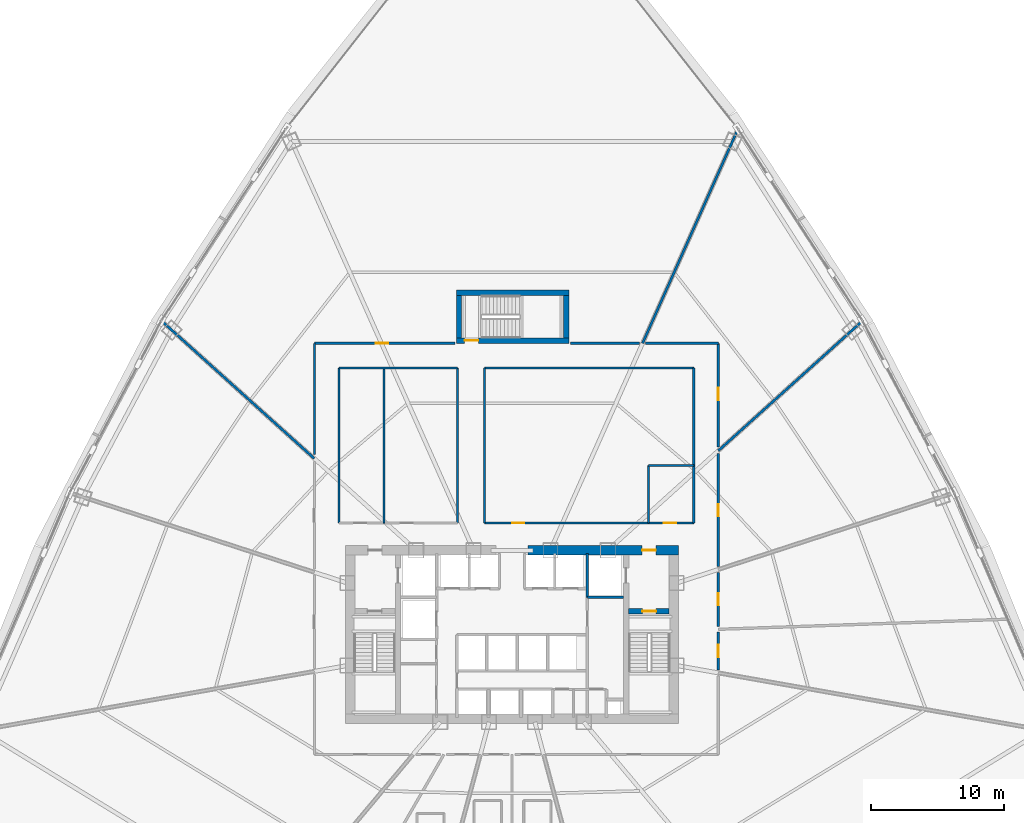
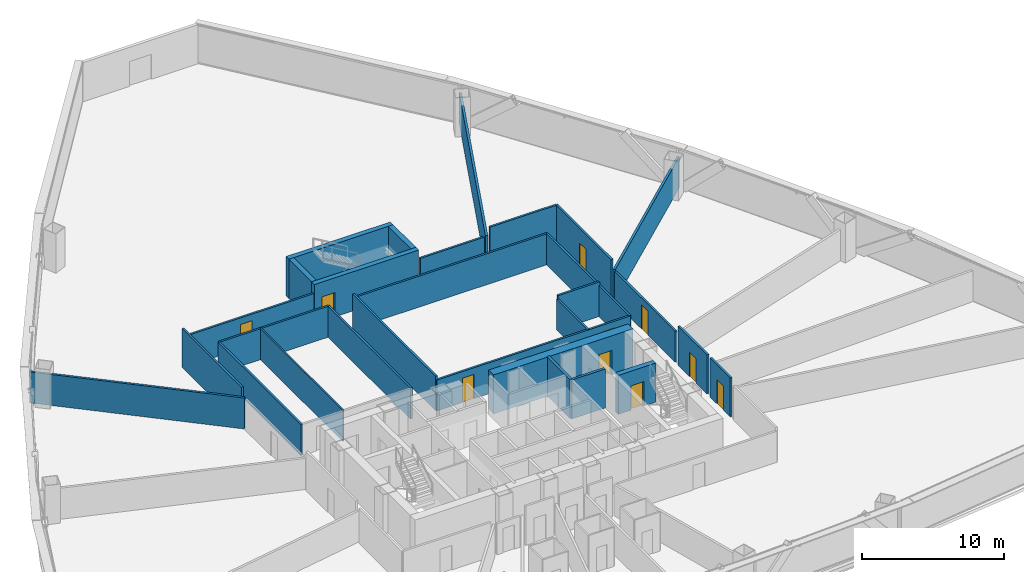
# One storey, part 35 of 41: 29 walls, 10 doors, 10 openings.
"""IFC4 building model written with IfcOpenShell, lengths in metres."""

from ifc_helpers import new_model, si_unit, direction, frame, frame_2d, origin, origin_with_axes, place, context, subcontext, project, spatial, rectangle, extrude, source, transform, mapped, material, layer, layer_set, type_object, element, fill, save


model = new_model("IFC4")

# Units and contexts
model_context = context("Model", 3, precision=1e-05, world=origin(), true_north=direction((0.0, 1.0)))
body_context = subcontext(model_context, "Body", "Model", "MODEL_VIEW")
ifc_project = project(units=[si_unit("LENGTHUNIT", "METRE"), si_unit("AREAUNIT", "SQUARE_METRE"), si_unit("VOLUMEUNIT", "CUBIC_METRE"), si_unit("PLANEANGLEUNIT", "RADIAN"), si_unit("MASSUNIT", "GRAM", prefix="KILO"), si_unit("THERMODYNAMICTEMPERATUREUNIT", "KELVIN"), si_unit("POWERUNIT", "WATT")], contexts=[model_context])

# Site, building, storey
site_placement = place(None, origin())
site = spatial("IfcSite", under=ifc_project, at=site_placement, CompositionType="ELEMENT")
building_placement = place(site_placement, origin())
building = spatial("IfcBuilding", under=site, at=building_placement, Name="Yunzhuo Pagoda Commons", CompositionType="ELEMENT")
storey_placement = place(building_placement, frame((0.0, 0.0, 63.070068359375)))
storey = spatial("IfcBuildingStorey", under=building, at=storey_placement, Name="L16", CompositionType="ELEMENT", Elevation=63.070068359375)

# Wall, opening, door
ifc_material_1 = material(Name="Concrete C60", Category="concrete")
ifc_layer_1 = layer(ifc_material_1, 0.699951171875)
ifc_layer_set_1 = layer_set([ifc_layer_1], Name="Concrete C60")
wall_type_1 = type_object("IfcWallType", Name="W-C01 Lower Core Shear Wall 700", PredefinedType="SHEAR", material=ifc_layer_set_1)
wall_1_placement = place(storey_placement, frame((49.199951171875, 40.199951171875, 0.0), z_axis=(0.0, 0.0, 1.0), x_axis=(1.0, 0.0, 0.0)))
wall_1 = element("IfcWall", 1, at=wall_1_placement, inside=storey, type_object=wall_type_1, Name="L16 core shear wall NE", PredefinedType="SHEAR", context=body_context, shape_type="SweptSolid", body=[
    extrude(rectangle(XDim=11.35009765625, YDim=0.699951171875, at=frame_2d((5.675048828125, 0.0))), origin(), (0.0, 0.0, 1.0), 3.369873046875),
])
opening_1_placement = place(wall_1_placement, frame((8.60009765625, 0.0, 0.0)))
opening_1 = element("IfcOpeningElement", 2, at=opening_1_placement, cuts=wall_1, Name="Opening D-02", PredefinedType="OPENING", context=body_context, shape_type="SweptSolid", body=[
    extrude(rectangle(XDim=1.050048828125, YDim=2.10009765625, at=frame_2d((0.52490234375, 1.050048828125))), frame((0.0, 0.35986328125, 0.0), z_axis=(0.0, -1.0, 0.0), x_axis=(1.0, 0.0, 0.0)), (0.0, 0.0, 1.0), 0.719970703125),
])
ifc_material_2 = material(Name="Galvanized fire-resisting metal leaf")
door_type_1 = type_object("IfcDoorType", Name="D-02 Firefighting Lobby & Refuge Fire Door 1050x2100", OperationType="NOTDEFINED", PredefinedType="DOOR", material=ifc_material_2)
shared_shape_1 = source(origin(), body_context, "Body", "SweptSolid", [
    extrude(rectangle(XDim=1.050048828125, YDim=2.10009765625, at=frame_2d((0.52490234375, 1.050048828125))), frame((0.0, 0.02490234375, 0.0), z_axis=(0.0, -1.0, 0.0), x_axis=(1.0, 0.0, 0.0)), (0.0, 0.0, 1.0), 0.050048828125),
])
door_1_placement = place(opening_1_placement, frame((1.050048828125, 0.0, 0.0), z_axis=(0.0, 0.0, 1.0), x_axis=(-1.0, 0.0, 0.0)))
door_1 = element("IfcDoor", 3, at=door_1_placement, inside=storey, type_object=door_type_1, Name="L16 Firefighting Lobby 2 fire door", OperationType="SINGLE_SWING_RIGHT", OverallHeight=2.10009765625, OverallWidth=1.050048828125, PredefinedType="DOOR", context=body_context, shape_type="MappedRepresentation", body=[
    mapped(shared_shape_1, transform((0.0, 0.0, 0.0), scale=1.0)),
])
fill(opening_1, door_1)

# Walls
ifc_material_3 = material(Name="Gypsum plasterboard on acoustic stud")
ifc_layer_2 = layer(ifc_material_3, 0.159912109375)
ifc_layer_set_2 = layer_set([ifc_layer_2], Name="Gypsum plasterboard on acoustic stud")
wall_type_2 = type_object("IfcWallType", Name="W-COR1 Tower Rated Corridor Wall 160", PredefinedType="PARTITIONING", material=ifc_layer_set_2)
wall_2_placement = place(storey_placement, frame((34.949951171875, 53.949951171875, 0.0), z_axis=(0.0, 0.0, 1.0), x_axis=(1.0, 0.0, 0.0)))
element("IfcWall", 4, at=wall_2_placement, inside=storey, type_object=wall_type_2, Name="L16 interior wall IW-L16-ISLWN", PredefinedType="PARTITIONING", context=body_context, shape_type="SweptSolid", body=[
    extrude(rectangle(XDim=8.929931640625, YDim=0.159912109375, at=frame_2d((4.46484375, 0.0))), origin(), (0.0, 0.0, 1.0), 2.669921875),
])
for number, where, z_axis, x_axis, name in (
    (5, (34.949951171875, 42.25, 0.0), (0.0, 0.0, 1.0), (0.0, 1.0, 0.0), "L16 interior wall IW-L16-ISLWW"),
    (6, (43.8798828125, 42.25, 0.0), (0.0, 0.0, 1.0), (0.0, 1.0, 0.0), "L16 interior wall IW-L16-ISLWE"),
):
    element("IfcWall", number, at=place(storey_placement, frame(where, z_axis=z_axis, x_axis=x_axis)), inside=storey, type_object=wall_type_2, Name=name, PredefinedType="PARTITIONING", context=body_context, shape_type="SweptSolid", body=[
        extrude(rectangle(XDim=11.699951171875, YDim=0.159912109375, at=frame_2d((5.85009765625, 0.0))), origin(), (0.0, 0.0, 1.0), 2.669921875),
    ])

# Wall, openings, doors
wall_3_placement = place(storey_placement, frame((45.919921875, 42.25, 0.0), z_axis=(0.0, 0.0, 1.0), x_axis=(1.0, 0.0, 0.0)))
wall_3 = element("IfcWall", 7, at=wall_3_placement, inside=storey, type_object=wall_type_2, Name="L16 interior wall IW-L16-ISLES", PredefinedType="PARTITIONING", context=body_context, shape_type="SweptSolid", body=[
    extrude(rectangle(XDim=15.780029296875, YDim=0.159912109375, at=frame_2d((7.89013671875, 0.0))), origin(), (0.0, 0.0, 1.0), 2.669921875),
])
opening_2_placement = place(wall_3_placement, frame((2.10009765625, 0.0, 0.0)))
opening_2 = element("IfcOpeningElement", 8, at=opening_2_placement, cuts=wall_3, Name="Opening D-04", PredefinedType="OPENING", context=body_context, shape_type="SweptSolid", body=[
    extrude(rectangle(XDim=0.919921875, YDim=2.10009765625, at=frame_2d((0.4599609375, 1.050048828125))), frame((0.0, 0.08984375, 0.0), z_axis=(0.0, -1.0, 0.0), x_axis=(1.0, 0.0, 0.0)), (0.0, 0.0, 1.0), 0.179931640625),
])
opening_3_placement = place(wall_3_placement, frame((13.530029296875, 0.0, 0.0)))
opening_3 = element("IfcOpeningElement", 9, at=opening_3_placement, cuts=wall_3, Name="Opening D-11", PredefinedType="OPENING", context=body_context, shape_type="SweptSolid", body=[
    extrude(rectangle(XDim=0.93994140625, YDim=2.10009765625, at=frame_2d((0.469970703125, 1.050048828125))), frame((0.0, 0.08984375, 0.0), z_axis=(0.0, -1.0, 0.0), x_axis=(1.0, 0.0, 0.0)), (0.0, 0.0, 1.0), 0.179931640625),
])
door_type_2 = type_object("IfcDoorType", Name="D-11 Accessible Washroom Fire Door 940x2100", OperationType="NOTDEFINED", PredefinedType="DOOR", material=ifc_material_2)
shared_shape_2 = source(origin(), body_context, "Body", "SweptSolid", [
    extrude(rectangle(XDim=0.93994140625, YDim=2.10009765625, at=frame_2d((0.469970703125, 1.050048828125))), frame((0.0, 0.02490234375, 0.0), z_axis=(0.0, -1.0, 0.0), x_axis=(1.0, 0.0, 0.0)), (0.0, 0.0, 1.0), 0.050048828125),
])
door_2_placement = place(opening_3_placement, frame((0.93994140625, 0.0, 0.0), z_axis=(0.0, 0.0, 1.0), x_axis=(-1.0, 0.0, 0.0)))
door_2 = element("IfcDoor", 10, at=door_2_placement, inside=storey, type_object=door_type_2, Name="L16 accessible WC door", OperationType="SINGLE_SWING_RIGHT", OverallHeight=2.10009765625, OverallWidth=0.93994140625, PredefinedType="DOOR", context=body_context, shape_type="MappedRepresentation", body=[
    mapped(shared_shape_2, transform((0.0, 0.0, 0.0), scale=1.0)),
])
fill(opening_3, door_2)
ifc_material_4 = material(Name="Powder-coated aluminium and timber acoustic leaf", Category="wood")
door_type_3 = type_object("IfcDoorType", Name="D-04 Bedroom & Study Interior Door 920x2100", OperationType="NOTDEFINED", PredefinedType="DOOR", material=ifc_material_4)
shared_shape_3 = source(origin(), body_context, "Body", "SweptSolid", [
    extrude(rectangle(XDim=0.919921875, YDim=2.10009765625, at=frame_2d((0.4599609375, 1.050048828125))), frame((0.0, 0.02490234375, 0.0), z_axis=(0.0, -1.0, 0.0), x_axis=(1.0, 0.0, 0.0)), (0.0, 0.0, 1.0), 0.050048828125),
])
door_3_placement = place(opening_2_placement, frame((0.919921875, 0.0, 0.0), z_axis=(0.0, 0.0, 1.0), x_axis=(-1.0, 0.0, 0.0)))
door_3 = element("IfcDoor", 11, at=door_3_placement, inside=storey, type_object=door_type_3, Name="L16 reading commons door", OperationType="SINGLE_SWING_LEFT", OverallHeight=2.10009765625, OverallWidth=0.919921875, PredefinedType="DOOR", context=body_context, shape_type="MappedRepresentation", body=[
    mapped(shared_shape_3, transform((0.0, 0.0, 0.0), scale=1.0)),
])
fill(opening_2, door_3)

# Walls
wall_4_placement = place(storey_placement, frame((45.919921875, 53.949951171875, 0.0), z_axis=(0.0, 0.0, 1.0), x_axis=(1.0, 0.0, 0.0)))
element("IfcWall", 12, at=wall_4_placement, inside=storey, type_object=wall_type_2, Name="L16 interior wall IW-L16-ISLEN", PredefinedType="PARTITIONING", context=body_context, shape_type="SweptSolid", body=[
    extrude(rectangle(XDim=15.780029296875, YDim=0.159912109375, at=frame_2d((7.89013671875, 0.0))), origin(), (0.0, 0.0, 1.0), 2.669921875),
])
wall_5_placement = place(storey_placement, frame((45.919921875, 42.25, 0.0), z_axis=(0.0, 0.0, 1.0), x_axis=(0.0, 1.0, 0.0)))
element("IfcWall", 13, at=wall_5_placement, inside=storey, type_object=wall_type_2, Name="L16 interior wall IW-L16-ISLEW", PredefinedType="PARTITIONING", context=body_context, shape_type="SweptSolid", body=[
    extrude(rectangle(XDim=11.699951171875, YDim=0.159912109375, at=frame_2d((5.85009765625, 0.0))), origin(), (0.0, 0.0, 1.0), 2.969970703125),
])
wall_6_placement = place(storey_placement, frame((61.699951171875, 42.25, 0.0), z_axis=(0.0, 0.0, 1.0), x_axis=(0.0, 1.0, 0.0)))
element("IfcWall", 14, at=wall_6_placement, inside=storey, type_object=wall_type_2, Name="L16 interior wall IW-L16-ISLEE", PredefinedType="PARTITIONING", context=body_context, shape_type="SweptSolid", body=[
    extrude(rectangle(XDim=11.699951171875, YDim=0.159912109375, at=frame_2d((5.85009765625, 0.0))), origin(), (0.0, 0.0, 1.0), 2.669921875),
])
wall_7_placement = place(storey_placement, frame((58.300048828125, 42.25, 0.0), z_axis=(0.0, 0.0, 1.0), x_axis=(0.0, 1.0, 0.0)))
element("IfcWall", 15, at=wall_7_placement, inside=storey, type_object=wall_type_2, Name="L16 interior wall IW-L16-ISL2W", PredefinedType="PARTITIONING", context=body_context, shape_type="SweptSolid", body=[
    extrude(rectangle(XDim=4.35009765625, YDim=0.159912109375, at=frame_2d((2.175048828125, 0.0))), origin(), (0.0, 0.0, 1.0), 2.669921875),
])
wall_8_placement = place(storey_placement, frame((58.300048828125, 46.60009765625, 0.0), z_axis=(0.0, 0.0, 1.0), x_axis=(1.0, 0.0, 0.0)))
element("IfcWall", 16, at=wall_8_placement, inside=storey, type_object=wall_type_2, Name="L16 interior wall IW-L16-ISL2N", PredefinedType="PARTITIONING", context=body_context, shape_type="SweptSolid", body=[
    extrude(rectangle(XDim=3.39990234375, YDim=0.159912109375, at=frame_2d((1.699951171875, 0.0))), origin(), (0.0, 0.0, 1.0), 2.969970703125),
])
wall_9_placement = place(storey_placement, frame((33.10009765625, 47.412109375, 0.0), z_axis=(0.0, 0.0, 1.0), x_axis=(0.0, 1.0, 0.0)))
element("IfcWall", 17, at=wall_9_placement, inside=storey, type_object=wall_type_2, Name="L16 interior wall IW-L16-CWL04", PredefinedType="PARTITIONING", context=body_context, shape_type="SweptSolid", body=[
    extrude(rectangle(XDim=8.387939453125, YDim=0.159912109375, at=frame_2d((4.19384765625, 0.0))), origin(), (0.0, 0.0, 1.0), 3.369873046875),
])

# Wall, opening, door
wall_10_placement = place(storey_placement, frame((33.10009765625, 55.800048828125, 0.0), z_axis=(0.0, 0.0, 1.0), x_axis=(1.0, 0.0, 0.0)))
wall_10 = element("IfcWall", 18, at=wall_10_placement, inside=storey, type_object=wall_type_2, Name="L16 interior wall IW-L16-CWL05", PredefinedType="PARTITIONING", context=body_context, shape_type="SweptSolid", body=[
    extrude(rectangle(XDim=10.60888671875, YDim=0.159912109375, at=frame_2d((5.304443359375, 0.0))), origin(), (0.0, 0.0, 1.0), 2.669921875),
])
opening_4_placement = place(wall_10_placement, frame((4.635009765625, 0.0, 0.0)))
opening_4 = element("IfcOpeningElement", 19, at=opening_4_placement, cuts=wall_10, Name="Opening D-06", PredefinedType="OPENING", context=body_context, shape_type="SweptSolid", body=[
    extrude(rectangle(XDim=0.949951171875, YDim=2.10009765625, at=frame_2d((0.47509765625, 1.050048828125))), frame((0.0, 0.08984375, 0.0), z_axis=(0.0, -1.0, 0.0), x_axis=(1.0, 0.0, 0.0)), (0.0, 0.0, 1.0), 0.179931640625),
])
door_type_4 = type_object("IfcDoorType", Name="D-06 Co-Living Suite Entrance Fire Door 950x2100", OperationType="NOTDEFINED", PredefinedType="DOOR", material=ifc_material_2)
shared_shape_4 = source(origin(), body_context, "Body", "SweptSolid", [
    extrude(rectangle(XDim=0.949951171875, YDim=2.10009765625, at=frame_2d((0.47509765625, 1.050048828125))), frame((0.0, 0.02490234375, 0.0), z_axis=(0.0, -1.0, 0.0), x_axis=(1.0, 0.0, 0.0)), (0.0, 0.0, 1.0), 0.050048828125),
])
door_4_placement = place(opening_4_placement, origin_with_axes())
door_4 = element("IfcDoor", 20, at=door_4_placement, inside=storey, type_object=door_type_4, Name="L16 Shared Resident Kitchen and Pantry door", OperationType="SINGLE_SWING_LEFT", OverallHeight=2.10009765625, OverallWidth=0.949951171875, PredefinedType="DOOR", context=body_context, shape_type="MappedRepresentation", body=[
    mapped(shared_shape_4, transform((0.0, 0.0, 0.0), scale=1.0)),
])
fill(opening_4, door_4)

# Walls
wall_11_placement = place(storey_placement, frame((52.39111328125, 55.800048828125, 0.0), z_axis=(0.0, 0.0, 1.0), x_axis=(1.0, 0.0, 0.0)))
element("IfcWall", 21, at=wall_11_placement, inside=storey, type_object=wall_type_2, Name="L16 interior wall IW-L16-CWL06", PredefinedType="PARTITIONING", context=body_context, shape_type="SweptSolid", body=[
    extrude(rectangle(XDim=5.228759765625, YDim=0.159912109375, at=frame_2d((2.6142578125, 0.0))), origin(), (0.0, 0.0, 1.0), 2.669921875),
])
wall_12_placement = place(storey_placement, frame((58.080322265625, 55.800048828125, 0.0), z_axis=(0.0, 0.0, 1.0), x_axis=(1.0, 0.0, 0.0)))
element("IfcWall", 22, at=wall_12_placement, inside=storey, type_object=wall_type_2, Name="L16 interior wall IW-L16-CWL07", PredefinedType="PARTITIONING", context=body_context, shape_type="SweptSolid", body=[
    extrude(rectangle(XDim=5.4697265625, YDim=0.159912109375, at=frame_2d((2.73486328125, 0.0))), origin(), (0.0, 0.0, 1.0), 3.369873046875),
])

# Wall, opening, door
wall_13_placement = place(storey_placement, frame((63.550048828125, 55.800048828125, 0.0), z_axis=(0.0, 0.0, 1.0), x_axis=(0.0, -1.0, 0.0)))
wall_13 = element("IfcWall", 23, at=wall_13_placement, inside=storey, type_object=wall_type_2, Name="L16 interior wall IW-L16-CWL08", PredefinedType="PARTITIONING", context=body_context, shape_type="SweptSolid", body=[
    extrude(rectangle(XDim=7.802734375, YDim=0.159912109375, at=frame_2d((3.9013671875, 0.0))), origin(), (0.0, 0.0, 1.0), 3.369873046875),
])
opening_5_placement = place(wall_13_placement, frame((3.359375, 0.0, 0.0)))
opening_5 = element("IfcOpeningElement", 24, at=opening_5_placement, cuts=wall_13, Name="Opening D-04", PredefinedType="OPENING", context=body_context, shape_type="SweptSolid", body=[
    extrude(rectangle(XDim=0.919921875, YDim=2.10009765625, at=frame_2d((0.4599609375, 1.050048828125))), frame((0.0, 0.08984375, 0.0), z_axis=(0.0, -1.0, 0.0), x_axis=(1.0, 0.0, 0.0)), (0.0, 0.0, 1.0), 0.179931640625),
])
door_5_placement = place(opening_5_placement, origin_with_axes())
door_5 = element("IfcDoor", 25, at=door_5_placement, inside=storey, type_object=door_type_3, Name="L16 seminar room 03 door", OperationType="SINGLE_SWING_RIGHT", OverallHeight=2.10009765625, OverallWidth=0.919921875, PredefinedType="DOOR", context=body_context, shape_type="MappedRepresentation", body=[
    mapped(shared_shape_3, transform((0.0, 0.0, 0.0), scale=1.0)),
])
fill(opening_5, door_5)

wall_14_placement = place(storey_placement, frame((63.550048828125, 47.481689453125, 0.0), z_axis=(0.0, 0.0, 1.0), x_axis=(0.0, -1.0, 0.0)))
wall_14 = element("IfcWall", 26, at=wall_14_placement, inside=storey, type_object=wall_type_2, Name="L16 interior wall IW-L16-CWL09", PredefinedType="PARTITIONING", context=body_context, shape_type="SweptSolid", body=[
    extrude(rectangle(XDim=8.497802734375, YDim=0.159912109375, at=frame_2d((4.2490234375, 0.0))), origin(), (0.0, 0.0, 1.0), 2.669921875),
])
opening_6_placement = place(wall_14_placement, frame((3.794677734375, 0.0, 0.0)))
opening_6 = element("IfcOpeningElement", 27, at=opening_6_placement, cuts=wall_14, Name="Opening D-04", PredefinedType="OPENING", context=body_context, shape_type="SweptSolid", body=[
    extrude(rectangle(XDim=0.919921875, YDim=2.10009765625, at=frame_2d((0.4599609375, 1.050048828125))), frame((0.0, 0.08984375, 0.0), z_axis=(0.0, -1.0, 0.0), x_axis=(1.0, 0.0, 0.0)), (0.0, 0.0, 1.0), 0.179931640625),
])
door_6_placement = place(opening_6_placement, origin_with_axes())
door_6 = element("IfcDoor", 28, at=door_6_placement, inside=storey, type_object=door_type_3, Name="L16 seminar room 02 door", OperationType="SINGLE_SWING_LEFT", OverallHeight=2.10009765625, OverallWidth=0.919921875, PredefinedType="DOOR", context=body_context, shape_type="MappedRepresentation", body=[
    mapped(shared_shape_3, transform((0.0, 0.0, 0.0), scale=1.0)),
])
fill(opening_6, door_6)

wall_15_placement = place(storey_placement, frame((63.550048828125, 38.53271484375, 0.0), z_axis=(0.0, 0.0, 1.0), x_axis=(0.0, -1.0, 0.0)))
wall_15 = element("IfcWall", 29, at=wall_15_placement, inside=storey, type_object=wall_type_2, Name="L16 interior wall IW-L16-CWL10", PredefinedType="PARTITIONING", context=body_context, shape_type="SweptSolid", body=[
    extrude(rectangle(XDim=4.069580078125, YDim=0.159912109375, at=frame_2d((2.03466796875, 0.0))), origin(), (0.0, 0.0, 1.0), 3.369873046875),
])
opening_7_placement = place(wall_15_placement, frame((1.574951171875, 0.0, 0.0)))
opening_7 = element("IfcOpeningElement", 30, at=opening_7_placement, cuts=wall_15, Name="Opening D-04", PredefinedType="OPENING", context=body_context, shape_type="SweptSolid", body=[
    extrude(rectangle(XDim=0.919921875, YDim=2.10009765625, at=frame_2d((0.4599609375, 1.050048828125))), frame((0.0, 0.08984375, 0.0), z_axis=(0.0, -1.0, 0.0), x_axis=(1.0, 0.0, 0.0)), (0.0, 0.0, 1.0), 0.179931640625),
])
door_7_placement = place(opening_7_placement, origin_with_axes())
door_7 = element("IfcDoor", 31, at=door_7_placement, inside=storey, type_object=door_type_3, Name="L16 seminar room 01 door", OperationType="SINGLE_SWING_RIGHT", OverallHeight=2.10009765625, OverallWidth=0.919921875, PredefinedType="DOOR", context=body_context, shape_type="MappedRepresentation", body=[
    mapped(shared_shape_3, transform((0.0, 0.0, 0.0), scale=1.0)),
])
fill(opening_7, door_7)

wall_16_placement = place(storey_placement, frame((63.550048828125, 34.023193359375, 0.0), z_axis=(0.0, 0.0, 1.0), x_axis=(0.0, -1.0, 0.0)))
wall_16 = element("IfcWall", 32, at=wall_16_placement, inside=storey, type_object=wall_type_2, Name="L16 interior wall IW-L16-CWL11", PredefinedType="PARTITIONING", context=body_context, shape_type="SweptSolid", body=[
    extrude(rectangle(XDim=2.84521484375, YDim=0.159912109375, at=frame_2d((1.422607421875, 0.0))), origin(), (0.0, 0.0, 1.0), 3.369873046875),
])
opening_8_placement = place(wall_16_placement, frame((0.94775390625, 0.0, 0.0)))
opening_8 = element("IfcOpeningElement", 33, at=opening_8_placement, cuts=wall_16, Name="Opening D-06", PredefinedType="OPENING", context=body_context, shape_type="SweptSolid", body=[
    extrude(rectangle(XDim=0.949951171875, YDim=2.10009765625, at=frame_2d((0.47509765625, 1.050048828125))), frame((0.0, 0.08984375, 0.0), z_axis=(0.0, -1.0, 0.0), x_axis=(1.0, 0.0, 0.0)), (0.0, 0.0, 1.0), 0.179931640625),
])
door_8_placement = place(opening_8_placement, origin_with_axes())
door_8 = element("IfcDoor", 34, at=door_8_placement, inside=storey, type_object=door_type_4, Name="L16 unit 13 entrance door", OperationType="SINGLE_SWING_RIGHT", OverallHeight=2.10009765625, OverallWidth=0.949951171875, PredefinedType="DOOR", context=body_context, shape_type="MappedRepresentation", body=[
    mapped(shared_shape_4, transform((0.0, 0.0, 0.0), scale=1.0)),
])
fill(opening_8, door_8)

# Walls
ifc_layer_3 = layer(ifc_material_3, 0.1201171875)
ifc_layer_set_3 = layer_set([ifc_layer_3], Name="Gypsum plasterboard on acoustic stud")
wall_type_3 = type_object("IfcWallType", Name="W-PRT1 Suite & Bathroom Partition 120", PredefinedType="PARTITIONING", material=ifc_layer_set_3)
wall_17_placement = place(storey_placement, frame((38.35009765625, 42.25, 0.0), z_axis=(0.0, 0.0, 1.0), x_axis=(0.0, 1.0, 0.0)))
element("IfcWall", 35, at=wall_17_placement, inside=storey, type_object=wall_type_3, Name="L16 interior wall IW-L16-ISLW1", PredefinedType="PARTITIONING", context=body_context, shape_type="SweptSolid", body=[
    extrude(rectangle(XDim=11.699951171875, YDim=0.1201171875, at=frame_2d((5.85009765625, 0.0))), origin(), (0.0, 0.0, 1.0), 2.669921875),
])
ifc_layer_4 = layer(ifc_material_3, 0.179931640625)
ifc_layer_set_4 = layer_set([ifc_layer_4], Name="Gypsum plasterboard on acoustic stud")
wall_type_4 = type_object("IfcWallType", Name="W-PRT2 Acoustic Unit Demising Wall 180", PredefinedType="PARTITIONING", material=ifc_layer_set_4)
wall_18_placement = place(storey_placement, frame((63.550048828125, 47.701416015625, 0.0), z_axis=(0.0, 0.0, 1.0), x_axis=(0.743144860423, 0.669130567547, 0.0)))
element("IfcWall", 36, at=wall_18_placement, inside=storey, type_object=wall_type_4, Name="L16 interior wall IW-L16-RAD03", PredefinedType="PARTITIONING", context=body_context, shape_type="SweptSolid", body=[
    extrude(rectangle(XDim=14.638916015625, YDim=0.179931640625, at=frame_2d((7.3193359375, 0.0))), origin(), (0.0, 0.0, 1.0), 2.669921875),
])
wall_19_placement = place(storey_placement, frame((57.839599609375, 55.800048828125, 0.0), z_axis=(0.0, 0.0, 1.0), x_axis=(0.406732277088, 0.913547401493, 0.0)))
element("IfcWall", 37, at=wall_19_placement, inside=storey, type_object=wall_type_4, Name="L16 interior wall IW-L16-RAD04", PredefinedType="PARTITIONING", context=body_context, shape_type="SweptSolid", body=[
    extrude(rectangle(XDim=17.69775390625, YDim=0.179931640625, at=frame_2d((8.848876953125, 0.0))), origin(), (0.0, 0.0, 1.0), 2.669921875),
])
wall_20_placement = place(storey_placement, frame((33.10009765625, 47.115966796875, 0.0), z_axis=(0.0, 0.0, 1.0), x_axis=(-0.743143105339, 0.669132516761, 0.0)))
element("IfcWall", 38, at=wall_20_placement, inside=storey, type_object=wall_type_4, Name="L16 interior wall IW-L16-RAD05", PredefinedType="PARTITIONING", context=body_context, shape_type="SweptSolid", body=[
    extrude(rectangle(XDim=15.513916015625, YDim=0.179931640625, at=frame_2d((7.7568359375, 0.0))), origin(), (0.0, 0.0, 1.0), 2.669921875),
])

# Wall, opening, door
ifc_layer_5 = layer(ifc_material_1, 0.39990234375)
ifc_layer_set_5 = layer_set([ifc_layer_5], Name="Concrete C60")
wall_type_5 = type_object("IfcWallType", Name="W-S01 Internal Core Shear Web 400", PredefinedType="SHEAR", material=ifc_layer_set_5)
wall_21_placement = place(storey_placement, frame((56.800048828125, 35.60009765625, 0.0), z_axis=(0.0, 0.0, 1.0), x_axis=(1.0, 0.0, 0.0)))
wall_21 = element("IfcWall", 39, at=wall_21_placement, inside=storey, type_object=wall_type_5, Name="L16 core shear wall STE", PredefinedType="SHEAR", context=body_context, shape_type="SweptSolid", body=[
    extrude(rectangle(XDim=3.050048828125, YDim=0.39990234375, at=frame_2d((1.52490234375, 0.0))), origin(), (0.0, 0.0, 1.0), 3.369873046875),
])
opening_9_placement = place(wall_21_placement, frame((1.02001953125, 0.0, 0.0)))
opening_9 = element("IfcOpeningElement", 40, at=opening_9_placement, cuts=wall_21, Name="Opening D-01", PredefinedType="OPENING", context=body_context, shape_type="SweptSolid", body=[
    extrude(rectangle(XDim=1.050048828125, YDim=2.10009765625, at=frame_2d((0.52490234375, 1.050048828125))), frame((0.0, 0.2099609375, 0.0), z_axis=(0.0, -1.0, 0.0), x_axis=(1.0, 0.0, 0.0)), (0.0, 0.0, 1.0), 0.419921875),
])
door_type_5 = type_object("IfcDoorType", Name="D-01 Smokeproof Stair Fire Door 1050x2100", OperationType="NOTDEFINED", PredefinedType="DOOR", material=ifc_material_2)
door_9_placement = place(opening_9_placement, frame((1.050048828125, 0.0, 0.0), z_axis=(0.0, 0.0, 1.0), x_axis=(-1.0, 0.0, 0.0)))
door_9 = element("IfcDoor", 41, at=door_9_placement, inside=storey, type_object=door_type_5, Name="L16 Stair ST2 fire door", OperationType="SINGLE_SWING_RIGHT", OverallHeight=2.10009765625, OverallWidth=1.050048828125, PredefinedType="DOOR", context=body_context, shape_type="MappedRepresentation", body=[
    mapped(shared_shape_1, transform((0.0, 0.0, 0.0), scale=1.0)),
])
fill(opening_9, door_9)

# Wall
wall_22_placement = place(storey_placement, frame((43.800048828125, 59.60009765625, 0.0), z_axis=(0.0, 0.0, 1.0), x_axis=(1.0, 0.0, 0.0)))
element("IfcWall", 42, at=wall_22_placement, inside=storey, type_object=wall_type_5, Name="L16 ST3 structural stair wall N", PredefinedType="SHEAR", context=body_context, shape_type="SweptSolid", body=[
    extrude(rectangle(XDim=8.5, YDim=0.39990234375, at=frame_2d((4.25, 0.0))), origin(), (0.0, 0.0, 1.0), 3.369873046875),
])

# Wall, opening, door
wall_23_placement = place(storey_placement, frame((43.800048828125, 56.0, 0.0), z_axis=(0.0, 0.0, 1.0), x_axis=(1.0, 0.0, 0.0)))
wall_23 = element("IfcWall", 43, at=wall_23_placement, inside=storey, type_object=wall_type_5, Name="L16 ST3 structural stair wall S", PredefinedType="SHEAR", context=body_context, shape_type="SweptSolid", body=[
    extrude(rectangle(XDim=8.5, YDim=0.39990234375, at=frame_2d((4.25, 0.0))), origin(), (0.0, 0.0, 1.0), 3.369873046875),
])
opening_10_placement = place(wall_23_placement, frame((0.6201171875, 0.0, 0.0)))
opening_10 = element("IfcOpeningElement", 44, at=opening_10_placement, cuts=wall_23, Name="Opening D-01", PredefinedType="OPENING", context=body_context, shape_type="SweptSolid", body=[
    extrude(rectangle(XDim=1.050048828125, YDim=2.10009765625, at=frame_2d((0.52490234375, 1.050048828125))), frame((0.0, 0.2099609375, 0.0), z_axis=(0.0, -1.0, 0.0), x_axis=(1.0, 0.0, 0.0)), (0.0, 0.0, 1.0), 0.419921875),
])
door_10_placement = place(opening_10_placement, frame((1.050048828125, 0.0, 0.0), z_axis=(0.0, 0.0, 1.0), x_axis=(-1.0, 0.0, 0.0)))
door_10 = element("IfcDoor", 45, at=door_10_placement, inside=storey, type_object=door_type_5, Name="L16 Stair ST3 fire door", OperationType="SINGLE_SWING_LEFT", OverallHeight=2.10009765625, OverallWidth=1.050048828125, PredefinedType="DOOR", context=body_context, shape_type="MappedRepresentation", body=[
    mapped(shared_shape_1, transform((0.0, 0.0, 0.0), scale=1.0)),
])
fill(opening_10, door_10)

# Walls
for number, where, z_axis, x_axis, name in (
    (46, (44.0, 56.199951171875, 0.0), (0.0, 0.0, 1.0), (0.0, 1.0, 0.0), "L16 ST3 structural stair wall W"),
    (47, (52.10009765625, 56.199951171875, 0.0), (0.0, 0.0, 1.0), (0.0, 1.0, 0.0), "L16 ST3 structural stair wall E"),
):
    element("IfcWall", number, at=place(storey_placement, frame(where, z_axis=z_axis, x_axis=x_axis)), inside=storey, type_object=wall_type_5, Name=name, PredefinedType="SHEAR", context=body_context, shape_type="SweptSolid", body=[
        extrude(rectangle(XDim=3.199951171875, YDim=0.39990234375, at=frame_2d((1.60009765625, 0.0))), origin(), (0.0, 0.0, 1.0), 3.369873046875),
    ])
ifc_material_5 = material(Name="Concrete C40", Category="concrete")
ifc_layer_6 = layer(ifc_material_5, 0.199951171875)
ifc_layer_set_6 = layer_set([ifc_layer_6], Name="Concrete C40")
wall_type_6 = type_object("IfcWallType", Name="W-SHF Shaft & Stair Enclosure Wall 200", PredefinedType="SOLIDWALL", material=ifc_layer_set_6)
wall_24_placement = place(storey_placement, frame((53.679931640625, 36.64990234375, 0.0), z_axis=(0.0, 0.0, 1.0), x_axis=(0.0, 1.0, 0.0)))
element("IfcWall", 48, at=wall_24_placement, inside=storey, type_object=wall_type_6, Name="L16 interior wall IW-L16-FL2W", PredefinedType="SOLIDWALL", context=body_context, shape_type="SweptSolid", body=[
    extrude(rectangle(XDim=3.300048828125, YDim=0.199951171875, at=frame_2d((1.64990234375, 0.0))), origin(), (0.0, 0.0, 1.0), 3.369873046875),
])
wall_25_placement = place(storey_placement, frame((53.679931640625, 36.64990234375, 0.0), z_axis=(0.0, 0.0, 1.0), x_axis=(1.0, 0.0, 0.0)))
element("IfcWall", 49, at=wall_25_placement, inside=storey, type_object=wall_type_6, Name="L16 interior wall IW-L16-FL2S", PredefinedType="SOLIDWALL", context=body_context, shape_type="SweptSolid", body=[
    extrude(rectangle(XDim=2.719970703125, YDim=0.199951171875, at=frame_2d((1.35986328125, 0.0))), origin(), (0.0, 0.0, 1.0), 3.369873046875),
])

save(model, "model.ifc")
